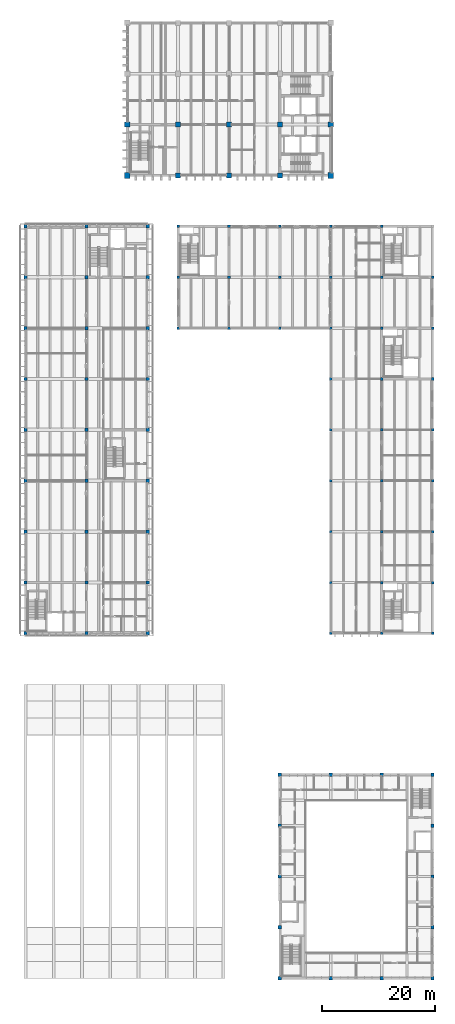
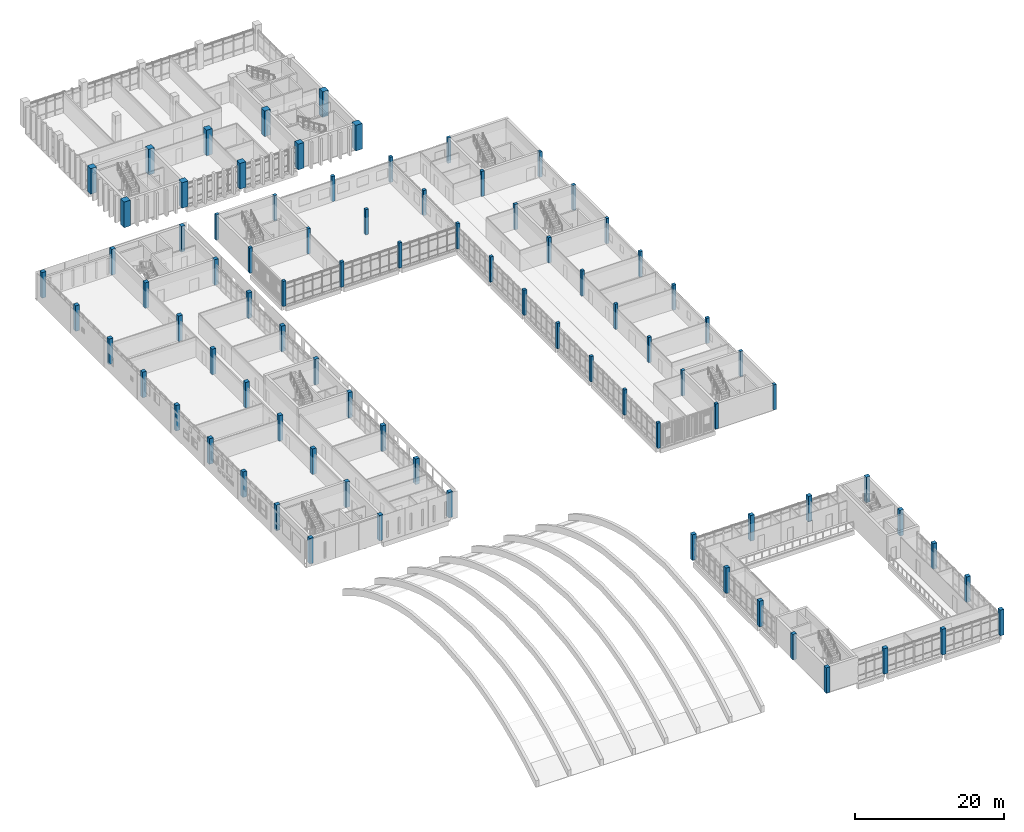
# One storey, part 1 of 88: 86 columns.
"""IFC4 building model written with IfcOpenShell, lengths in metres."""

from ifc_helpers import new_model, si_unit, direction, frame, origin, origin_2d, place, context, subcontext, project, spatial, rectangle, extrude, material, material_profile, profile_set, type_object, element, save


model = new_model("IFC4")

# Units and contexts
model_context = context("Model", 3, precision=1e-05, world=origin(), true_north=direction((0.0, 1.0)))
body_context = subcontext(model_context, "Body", "Model", "MODEL_VIEW")
ifc_project = project(units=[si_unit("LENGTHUNIT", "METRE"), si_unit("AREAUNIT", "SQUARE_METRE"), si_unit("VOLUMEUNIT", "CUBIC_METRE"), si_unit("PLANEANGLEUNIT", "RADIAN"), si_unit("MASSUNIT", "GRAM", prefix="KILO")], contexts=[model_context])

# Site, building, storey
site_placement = place(None, origin())
site = spatial("IfcSite", under=ifc_project, at=site_placement, CompositionType="ELEMENT")
building_placement = place(site_placement, origin())
building = spatial("IfcBuilding", under=site, at=building_placement, Name="Merrow Basin Faculty of Sciences", CompositionType="ELEMENT")
storey_placement = place(building_placement, frame((0.0, 0.0, 9.0)))
storey = spatial("IfcBuildingStorey", under=building, at=storey_placement, Name="L02", CompositionType="ELEMENT", Elevation=9.0)

# Columns
ifc_material_1 = material(Name="Concrete C50/60", Category="concrete")
ifc_material_profile_1 = material_profile(ifc_material_1, rectangle(XDim=1.0, YDim=1.0, at=origin_2d()))
ifc_profile_set_1 = profile_set([ifc_material_profile_1], Name="Concrete C50/60")
column_type_1 = type_object("IfcColumnType", Name="Column RC1000x1000 C50/60", PredefinedType="COLUMN", material=ifc_profile_set_1)
for number, where, z_axis, x_axis, name in (
    (1, (18.0, 142.0, 0.0), (0.0, 0.0, 1.0), (1.0, 0.0, 0.0), "Column S13 L02"),
    (2, (54.0, 142.0, 0.0), (0.0, 0.0, 1.0), (1.0, 0.0, 0.0), "Column G13 L02"),
):
    element("IfcColumn", number, at=place(storey_placement, frame(where, z_axis=z_axis, x_axis=x_axis)), inside=storey, type_object=column_type_1, Name=name, PredefinedType="COLUMN", context=body_context, shape_type="SweptSolid", body=[
        extrude(rectangle(XDim=1.0, YDim=1.0, at=origin_2d()), origin(), (0.0, 0.0, 1.0), 4.199951171875),
    ])
ifc_material_2 = material(Name="Concrete C40/50", Category="concrete")
ifc_material_profile_2 = material_profile(ifc_material_2, rectangle(XDim=0.449951171875, YDim=0.449951171875, at=origin_2d()))
ifc_profile_set_2 = profile_set([ifc_material_profile_2], Name="Concrete C40/50")
column_type_2 = type_object("IfcColumnType", Name="Column RC450x450 C40/50", PredefinedType="COLUMN", material=ifc_profile_set_2)
for number, where, z_axis, x_axis, name in (
    (3, (27.0, 115.0, 0.0), (0.0, 0.0, 1.0), (1.0, 0.0, 0.0), "Column D7 L02"),
    (4, (27.0, 124.0, 0.0), (0.0, 0.0, 1.0), (1.0, 0.0, 0.0), "Column D8 L02"),
    (5, (27.0, 133.0, 0.0), (0.0, 0.0, 1.0), (1.0, 0.0, 0.0), "Column D9 L02"),
    (6, (36.0, 115.0, 0.0), (0.0, 0.0, 1.0), (1.0, 0.0, 0.0), "Column E7 L02"),
    (7, (36.0, 124.0, 0.0), (0.0, 0.0, 1.0), (1.0, 0.0, 0.0), "Column E8 L02"),
    (8, (36.0, 133.0, 0.0), (0.0, 0.0, 1.0), (1.0, 0.0, 0.0), "Column E9 L02"),
    (9, (45.0, 115.0, 0.0), (0.0, 0.0, 1.0), (1.0, 0.0, 0.0), "Column F7 L02"),
    (10, (45.0, 124.0, 0.0), (0.0, 0.0, 1.0), (1.0, 0.0, 0.0), "Column F8 L02"),
    (11, (45.0, 133.0, 0.0), (0.0, 0.0, 1.0), (1.0, 0.0, 0.0), "Column F9 L02"),
    (12, (54.0, 61.0, 0.0), (0.0, 0.0, 1.0), (1.0, 0.0, 0.0), "Column G1 L02"),
    (13, (54.0, 70.0, 0.0), (0.0, 0.0, 1.0), (1.0, 0.0, 0.0), "Column G2 L02"),
    (14, (54.0, 79.0, 0.0), (0.0, 0.0, 1.0), (1.0, 0.0, 0.0), "Column G3 L02"),
    (15, (54.0, 88.0, 0.0), (0.0, 0.0, 1.0), (1.0, 0.0, 0.0), "Column G4 L02"),
    (16, (54.0, 97.0, 0.0), (0.0, 0.0, 1.0), (1.0, 0.0, 0.0), "Column G5 L02"),
    (17, (54.0, 106.0, 0.0), (0.0, 0.0, 1.0), (1.0, 0.0, 0.0), "Column G6 L02"),
    (18, (54.0, 115.0, 0.0), (0.0, 0.0, 1.0), (1.0, 0.0, 0.0), "Column G7 L02"),
    (19, (54.0, 124.0, 0.0), (0.0, 0.0, 1.0), (1.0, 0.0, 0.0), "Column G8 L02"),
    (20, (54.0, 133.0, 0.0), (0.0, 0.0, 1.0), (1.0, 0.0, 0.0), "Column G9 L02"),
    (21, (63.0, 61.0, 0.0), (0.0, 0.0, 1.0), (1.0, 0.0, 0.0), "Column H1 L02"),
    (22, (63.0, 70.0, 0.0), (0.0, 0.0, 1.0), (1.0, 0.0, 0.0), "Column H2 L02"),
    (23, (63.0, 79.0, 0.0), (0.0, 0.0, 1.0), (1.0, 0.0, 0.0), "Column H3 L02"),
    (24, (63.0, 88.0, 0.0), (0.0, 0.0, 1.0), (1.0, 0.0, 0.0), "Column H4 L02"),
    (25, (63.0, 97.0, 0.0), (0.0, 0.0, 1.0), (1.0, 0.0, 0.0), "Column H5 L02"),
    (26, (63.0, 106.0, 0.0), (0.0, 0.0, 1.0), (1.0, 0.0, 0.0), "Column H6 L02"),
    (27, (63.0, 115.0, 0.0), (0.0, 0.0, 1.0), (1.0, 0.0, 0.0), "Column H7 L02"),
    (28, (63.0, 124.0, 0.0), (0.0, 0.0, 1.0), (1.0, 0.0, 0.0), "Column H8 L02"),
    (29, (63.0, 133.0, 0.0), (0.0, 0.0, 1.0), (1.0, 0.0, 0.0), "Column H9 L02"),
    (30, (72.0, 61.0, 0.0), (0.0, 0.0, 1.0), (1.0, 0.0, 0.0), "Column J1 L02"),
    (31, (72.0, 70.0, 0.0), (0.0, 0.0, 1.0), (1.0, 0.0, 0.0), "Column J2 L02"),
    (32, (72.0, 79.0, 0.0), (0.0, 0.0, 1.0), (1.0, 0.0, 0.0), "Column J3 L02"),
    (33, (72.0, 88.0, 0.0), (0.0, 0.0, 1.0), (1.0, 0.0, 0.0), "Column J4 L02"),
    (34, (72.0, 97.0, 0.0), (0.0, 0.0, 1.0), (1.0, 0.0, 0.0), "Column J5 L02"),
    (35, (72.0, 106.0, 0.0), (0.0, 0.0, 1.0), (1.0, 0.0, 0.0), "Column J6 L02"),
    (36, (72.0, 115.0, 0.0), (0.0, 0.0, 1.0), (1.0, 0.0, 0.0), "Column J7 L02"),
    (37, (72.0, 124.0, 0.0), (0.0, 0.0, 1.0), (1.0, 0.0, 0.0), "Column J8 L02"),
):
    element("IfcColumn", number, at=place(storey_placement, frame(where, z_axis=z_axis, x_axis=x_axis)), inside=storey, type_object=column_type_2, Name=name, PredefinedType="COLUMN", context=body_context, shape_type="SweptSolid", body=[
        extrude(rectangle(XDim=0.449951171875, YDim=0.449951171875, at=origin_2d()), origin(), (0.0, 0.0, 1.0), 4.14990234375),
    ])
ifc_material_3 = material(Name="Concrete C40/50", Category="concrete")
ifc_material_profile_3 = material_profile(ifc_material_3, rectangle(XDim=0.60009765625, YDim=0.60009765625, at=origin_2d()))
ifc_profile_set_3 = profile_set([ifc_material_profile_3], Name="Concrete C40/50")
column_type_3 = type_object("IfcColumnType", Name="Column RC600x600 C40/50", PredefinedType="COLUMN", material=ifc_profile_set_3)
for number, where, z_axis, x_axis, name in (
    (38, (0.0, 61.0, 0.0), (0.0, 0.0, 1.0), (1.0, 0.0, 0.0), "Column A1 L02"),
    (39, (0.0, 70.0, 0.0), (0.0, 0.0, 1.0), (1.0, 0.0, 0.0), "Column A2 L02"),
    (40, (0.0, 79.0, 0.0), (0.0, 0.0, 1.0), (1.0, 0.0, 0.0), "Column A3 L02"),
    (41, (0.0, 88.0, 0.0), (0.0, 0.0, 1.0), (1.0, 0.0, 0.0), "Column A4 L02"),
    (42, (0.0, 97.0, 0.0), (0.0, 0.0, 1.0), (1.0, 0.0, 0.0), "Column A5 L02"),
    (43, (0.0, 106.0, 0.0), (0.0, 0.0, 1.0), (1.0, 0.0, 0.0), "Column A6 L02"),
    (44, (0.0, 115.0, 0.0), (0.0, 0.0, 1.0), (1.0, 0.0, 0.0), "Column A7 L02"),
    (45, (0.0, 124.0, 0.0), (0.0, 0.0, 1.0), (1.0, 0.0, 0.0), "Column A8 L02"),
    (46, (0.0, 133.0, 0.0), (0.0, 0.0, 1.0), (1.0, 0.0, 0.0), "Column A9 L02"),
    (47, (10.800048828125, 61.0, 0.0), (0.0, 0.0, 1.0), (1.0, 0.0, 0.0), "Column B1 L02"),
    (48, (10.800048828125, 70.0, 0.0), (0.0, 0.0, 1.0), (1.0, 0.0, 0.0), "Column B2 L02"),
    (49, (10.800048828125, 79.0, 0.0), (0.0, 0.0, 1.0), (1.0, 0.0, 0.0), "Column B3 L02"),
    (50, (10.800048828125, 88.0, 0.0), (0.0, 0.0, 1.0), (1.0, 0.0, 0.0), "Column B4 L02"),
    (51, (10.800048828125, 97.0, 0.0), (0.0, 0.0, 1.0), (1.0, 0.0, 0.0), "Column B5 L02"),
    (52, (10.800048828125, 106.0, 0.0), (0.0, 0.0, 1.0), (1.0, 0.0, 0.0), "Column B6 L02"),
    (53, (10.800048828125, 115.0, 0.0), (0.0, 0.0, 1.0), (1.0, 0.0, 0.0), "Column B7 L02"),
    (54, (10.800048828125, 124.0, 0.0), (0.0, 0.0, 1.0), (1.0, 0.0, 0.0), "Column B8 L02"),
    (55, (10.800048828125, 133.0, 0.0), (0.0, 0.0, 1.0), (1.0, 0.0, 0.0), "Column B9 L02"),
    (56, (21.60009765625, 61.0, 0.0), (0.0, 0.0, 1.0), (1.0, 0.0, 0.0), "Column C1 L02"),
    (57, (21.60009765625, 70.0, 0.0), (0.0, 0.0, 1.0), (1.0, 0.0, 0.0), "Column C2 L02"),
    (58, (21.60009765625, 79.0, 0.0), (0.0, 0.0, 1.0), (1.0, 0.0, 0.0), "Column C3 L02"),
    (59, (21.60009765625, 88.0, 0.0), (0.0, 0.0, 1.0), (1.0, 0.0, 0.0), "Column C4 L02"),
    (60, (21.60009765625, 97.0, 0.0), (0.0, 0.0, 1.0), (1.0, 0.0, 0.0), "Column C5 L02"),
    (61, (21.60009765625, 106.0, 0.0), (0.0, 0.0, 1.0), (1.0, 0.0, 0.0), "Column C6 L02"),
    (62, (21.60009765625, 115.0, 0.0), (0.0, 0.0, 1.0), (1.0, 0.0, 0.0), "Column C7 L02"),
    (63, (21.60009765625, 124.0, 0.0), (0.0, 0.0, 1.0), (1.0, 0.0, 0.0), "Column C8 L02"),
    (64, (21.60009765625, 133.0, 0.0), (0.0, 0.0, 1.0), (1.0, 0.0, 0.0), "Column C9 L02"),
    (65, (45.0, 0.0, 0.0), (0.0, 0.0, 1.0), (1.0, 0.0, 0.0), "Column F10 L02"),
    (66, (45.0, 9.0, 0.0), (0.0, 0.0, 1.0), (1.0, 0.0, 0.0), "Column F L02"),
    (67, (45.0, 18.0, 0.0), (0.0, 0.0, 1.0), (1.0, 0.0, 0.0), "Column F L02"),
    (68, (45.0, 27.0, 0.0), (0.0, 0.0, 1.0), (1.0, 0.0, 0.0), "Column F L02"),
    (69, (45.0, 36.0, 0.0), (0.0, 0.0, 1.0), (1.0, 0.0, 0.0), "Column F11 L02"),
    (70, (54.0, 0.0, 0.0), (0.0, 0.0, 1.0), (1.0, 0.0, 0.0), "Column G10 L02"),
    (71, (54.0, 36.0, 0.0), (0.0, 0.0, 1.0), (1.0, 0.0, 0.0), "Column G11 L02"),
    (72, (63.0, 0.0, 0.0), (0.0, 0.0, 1.0), (1.0, 0.0, 0.0), "Column H10 L02"),
    (73, (63.0, 36.0, 0.0), (0.0, 0.0, 1.0), (1.0, 0.0, 0.0), "Column H11 L02"),
    (74, (72.0, 0.0, 0.0), (0.0, 0.0, 1.0), (1.0, 0.0, 0.0), "Column J10 L02"),
    (75, (72.0, 9.0, 0.0), (0.0, 0.0, 1.0), (1.0, 0.0, 0.0), "Column J L02"),
    (76, (72.0, 18.0, 0.0), (0.0, 0.0, 1.0), (1.0, 0.0, 0.0), "Column J L02"),
    (77, (72.0, 27.0, 0.0), (0.0, 0.0, 1.0), (1.0, 0.0, 0.0), "Column J L02"),
    (78, (72.0, 36.0, 0.0), (0.0, 0.0, 1.0), (1.0, 0.0, 0.0), "Column J11 L02"),
):
    element("IfcColumn", number, at=place(storey_placement, frame(where, z_axis=z_axis, x_axis=x_axis)), inside=storey, type_object=column_type_3, Name=name, PredefinedType="COLUMN", context=body_context, shape_type="SweptSolid", body=[
        extrude(rectangle(XDim=0.60009765625, YDim=0.60009765625, at=origin_2d()), origin(), (0.0, 0.0, 1.0), 4.199951171875),
    ])
ifc_material_4 = material(Name="Concrete C50/60", Category="concrete")
ifc_material_profile_4 = material_profile(ifc_material_4, rectangle(XDim=0.89990234375, YDim=0.89990234375, at=origin_2d()))
ifc_profile_set_4 = profile_set([ifc_material_profile_4], Name="Concrete C50/60")
column_type_4 = type_object("IfcColumnType", Name="Column RC900x900 C50/60", PredefinedType="COLUMN", material=ifc_profile_set_4)
for number, where, z_axis, x_axis, name in (
    (79, (18.0, 151.0, 0.0), (0.0, 0.0, 1.0), (1.0, 0.0, 0.0), "Column S14 L02"),
    (80, (27.0, 142.0, 0.0), (0.0, 0.0, 1.0), (1.0, 0.0, 0.0), "Column D13 L02"),
    (81, (27.0, 151.0, 0.0), (0.0, 0.0, 1.0), (1.0, 0.0, 0.0), "Column D14 L02"),
    (82, (36.0, 142.0, 0.0), (0.0, 0.0, 1.0), (1.0, 0.0, 0.0), "Column E13 L02"),
    (83, (36.0, 151.0, 0.0), (0.0, 0.0, 1.0), (1.0, 0.0, 0.0), "Column E14 L02"),
    (84, (45.0, 142.0, 0.0), (0.0, 0.0, 1.0), (1.0, 0.0, 0.0), "Column F13 L02"),
    (85, (45.0, 151.0, 0.0), (0.0, 0.0, 1.0), (1.0, 0.0, 0.0), "Column F14 L02"),
    (86, (54.0, 151.0, 0.0), (0.0, 0.0, 1.0), (1.0, 0.0, 0.0), "Column G14 L02"),
):
    element("IfcColumn", number, at=place(storey_placement, frame(where, z_axis=z_axis, x_axis=x_axis)), inside=storey, type_object=column_type_4, Name=name, PredefinedType="COLUMN", context=body_context, shape_type="SweptSolid", body=[
        extrude(rectangle(XDim=0.89990234375, YDim=0.89990234375, at=origin_2d()), origin(), (0.0, 0.0, 1.0), 4.199951171875),
    ])

save(model, "model.ifc")
